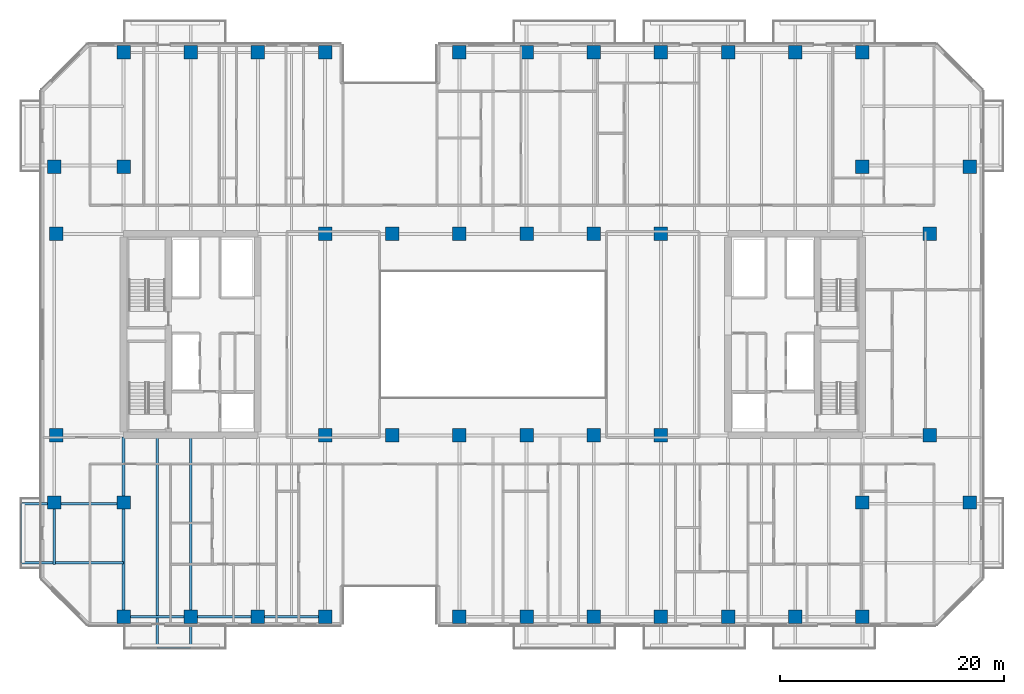
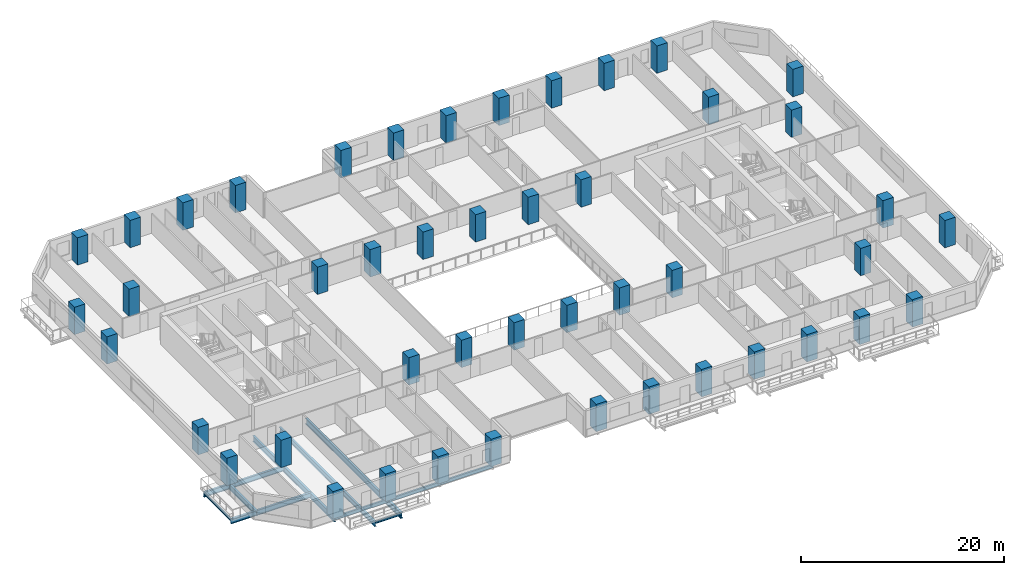
# One storey, part 1 of 26: 46 columns, 11 beams.
"""IFC4 building model written with IfcOpenShell, lengths in metres."""

from ifc_helpers import new_model, si_unit, direction, frame, origin, origin_2d, place, context, subcontext, project, spatial, rectangle, hollow_rectangle, i_section, extrude, material, material_profile, profile_set, type_object, element, save


model = new_model("IFC4")

# Units and contexts
model_context = context("Model", 3, precision=1e-05, world=origin(), true_north=direction((0.0, 1.0)))
body_context = subcontext(model_context, "Body", "Model", "MODEL_VIEW")
ifc_project = project(units=[si_unit("LENGTHUNIT", "METRE"), si_unit("AREAUNIT", "SQUARE_METRE"), si_unit("VOLUMEUNIT", "CUBIC_METRE"), si_unit("PLANEANGLEUNIT", "RADIAN"), si_unit("MASSUNIT", "GRAM", prefix="KILO")], contexts=[model_context])

# Site, building, storey
site_placement = place(None, origin())
site = spatial("IfcSite", under=ifc_project, at=site_placement, CompositionType="ELEMENT")
building_placement = place(site_placement, origin())
building = spatial("IfcBuilding", under=site, at=building_placement, Name="Tanjung Sevakor Pilgrim Tower", CompositionType="ELEMENT")
storey_placement = place(building_placement, frame((0.0, 0.0, 45.5400390625)))
storey = spatial("IfcBuildingStorey", under=building, at=storey_placement, Name="L12", CompositionType="ELEMENT", Elevation=45.5400390625)

# Columns
ifc_material_1 = material(Name="Concrete C60/75", Category="concrete")
ifc_material_profile_1 = material_profile(ifc_material_1, rectangle(XDim=1.199951171875, YDim=1.199951171875, at=origin_2d()))
ifc_profile_set_1 = profile_set([ifc_material_profile_1], Name="Concrete C60/75")
column_type = type_object("IfcColumnType", Name="COL-C-T1200-RC_1200x1200", PredefinedType="COLUMN", material=ifc_profile_set_1)
for number, where, z_axis, x_axis, name in (
    (1, (18.0, 24.60009765625, 0.0), (0.0, 0.0, 1.0), (1.0, 0.0, 0.0), "L12 Column SPW-018-246"),
    (2, (18.0, 42.60009765625, 0.0), (0.0, 0.0, 1.0), (1.0, 0.0, 0.0), "L12 Column SPW-018-426"),
    (3, (42.0, 24.60009765625, 0.0), (0.0, 0.0, 1.0), (1.0, 0.0, 0.0), "L12 Column SPW-042-246"),
    (4, (42.0, 42.60009765625, 0.0), (0.0, 0.0, 1.0), (1.0, 0.0, 0.0), "L12 Column SPW-042-426"),
    (5, (48.0, 24.60009765625, 0.0), (0.0, 0.0, 1.0), (1.0, 0.0, 0.0), "L12 Column SPW-048-246"),
    (6, (48.0, 42.60009765625, 0.0), (0.0, 0.0, 1.0), (1.0, 0.0, 0.0), "L12 Column SPW-048-426"),
    (7, (54.0, 24.60009765625, 0.0), (0.0, 0.0, 1.0), (1.0, 0.0, 0.0), "L12 Column SPE-054-246"),
    (8, (54.0, 42.60009765625, 0.0), (0.0, 0.0, 1.0), (1.0, 0.0, 0.0), "L12 Column SPE-054-426"),
    (9, (60.0, 24.60009765625, 0.0), (0.0, 0.0, 1.0), (1.0, 0.0, 0.0), "L12 Column SPE-060-246"),
    (10, (60.0, 42.60009765625, 0.0), (0.0, 0.0, 1.0), (1.0, 0.0, 0.0), "L12 Column SPE-060-426"),
    (11, (66.0, 24.60009765625, 0.0), (0.0, 0.0, 1.0), (1.0, 0.0, 0.0), "L12 Column SPE-066-246"),
    (12, (66.0, 42.60009765625, 0.0), (0.0, 0.0, 1.0), (1.0, 0.0, 0.0), "L12 Column SPE-066-426"),
    (13, (72.0, 24.60009765625, 0.0), (0.0, 0.0, 1.0), (1.0, 0.0, 0.0), "L12 Column SPE-072-246"),
    (14, (72.0, 42.60009765625, 0.0), (0.0, 0.0, 1.0), (1.0, 0.0, 0.0), "L12 Column SPE-072-426"),
    (15, (96.0, 24.60009765625, 0.0), (0.0, 0.0, 1.0), (1.0, 0.0, 0.0), "L12 Column SPE-096-246"),
    (16, (96.0, 42.60009765625, 0.0), (0.0, 0.0, 1.0), (1.0, 0.0, 0.0), "L12 Column SPE-096-426"),
    (17, (17.800048828125, 18.60009765625, 0.0), (0.0, 0.0, 1.0), (1.0, 0.0, 0.0), "L12 Column TCE-0178-186"),
    (18, (17.800048828125, 48.60009765625, 0.0), (0.0, 0.0, 1.0), (1.0, 0.0, 0.0), "L12 Column TCE-0178-486"),
    (19, (24.0, 18.60009765625, 0.0), (0.0, 0.0, 1.0), (1.0, 0.0, 0.0), "L12 Column TCE-0240-186"),
    (20, (24.0, 48.60009765625, 0.0), (0.0, 0.0, 1.0), (1.0, 0.0, 0.0), "L12 Column TCE-0240-486"),
    (21, (90.0, 18.60009765625, 0.0), (0.0, 0.0, 1.0), (1.0, 0.0, 0.0), "L12 Column TCE-0900-186"),
    (22, (90.0, 48.60009765625, 0.0), (0.0, 0.0, 1.0), (1.0, 0.0, 0.0), "L12 Column TCE-0900-486"),
    (23, (99.60009765625, 18.60009765625, 0.0), (0.0, 0.0, 1.0), (1.0, 0.0, 0.0), "L12 Column TCE-0996-186"),
    (24, (99.60009765625, 48.60009765625, 0.0), (0.0, 0.0, 1.0), (1.0, 0.0, 0.0), "L12 Column TCE-0996-486"),
    (25, (24.0, 8.39990234375, 0.0), (0.0, 0.0, 1.0), (1.0, 0.0, 0.0), "L12 Column TC1-024-084"),
    (26, (24.0, 58.800048828125, 0.0), (0.0, 0.0, 1.0), (1.0, 0.0, 0.0), "L12 Column TC1-024-588"),
    (27, (30.0, 8.39990234375, 0.0), (0.0, 0.0, 1.0), (1.0, 0.0, 0.0), "L12 Column TC1-030-084"),
    (28, (30.0, 58.800048828125, 0.0), (0.0, 0.0, 1.0), (1.0, 0.0, 0.0), "L12 Column TC1-030-588"),
    (29, (36.0, 8.39990234375, 0.0), (0.0, 0.0, 1.0), (1.0, 0.0, 0.0), "L12 Column TC1-036-084"),
    (30, (36.0, 58.800048828125, 0.0), (0.0, 0.0, 1.0), (1.0, 0.0, 0.0), "L12 Column TC1-036-588"),
    (31, (42.0, 8.39990234375, 0.0), (0.0, 0.0, 1.0), (1.0, 0.0, 0.0), "L12 Column TC1-042-084"),
    (32, (42.0, 58.800048828125, 0.0), (0.0, 0.0, 1.0), (1.0, 0.0, 0.0), "L12 Column TC1-042-588"),
    (33, (54.0, 8.39990234375, 0.0), (0.0, 0.0, 1.0), (1.0, 0.0, 0.0), "L12 Column TC1-054-084"),
    (34, (54.0, 58.800048828125, 0.0), (0.0, 0.0, 1.0), (1.0, 0.0, 0.0), "L12 Column TC1-054-588"),
    (35, (60.0, 8.39990234375, 0.0), (0.0, 0.0, 1.0), (1.0, 0.0, 0.0), "L12 Column TC1-060-084"),
    (36, (60.0, 58.800048828125, 0.0), (0.0, 0.0, 1.0), (1.0, 0.0, 0.0), "L12 Column TC1-060-588"),
    (37, (66.0, 8.39990234375, 0.0), (0.0, 0.0, 1.0), (1.0, 0.0, 0.0), "L12 Column TC1-066-084"),
    (38, (66.0, 58.800048828125, 0.0), (0.0, 0.0, 1.0), (1.0, 0.0, 0.0), "L12 Column TC1-066-588"),
    (39, (72.0, 8.39990234375, 0.0), (0.0, 0.0, 1.0), (1.0, 0.0, 0.0), "L12 Column TC1-072-084"),
    (40, (72.0, 58.800048828125, 0.0), (0.0, 0.0, 1.0), (1.0, 0.0, 0.0), "L12 Column TC1-072-588"),
    (41, (78.0, 8.39990234375, 0.0), (0.0, 0.0, 1.0), (1.0, 0.0, 0.0), "L12 Column TC1-078-084"),
    (42, (78.0, 58.800048828125, 0.0), (0.0, 0.0, 1.0), (1.0, 0.0, 0.0), "L12 Column TC1-078-588"),
    (43, (84.0, 8.39990234375, 0.0), (0.0, 0.0, 1.0), (1.0, 0.0, 0.0), "L12 Column TC1-084-084"),
    (44, (84.0, 58.800048828125, 0.0), (0.0, 0.0, 1.0), (1.0, 0.0, 0.0), "L12 Column TC1-084-588"),
    (45, (90.0, 8.39990234375, 0.0), (0.0, 0.0, 1.0), (1.0, 0.0, 0.0), "L12 Column TC1-090-084"),
    (46, (90.0, 58.800048828125, 0.0), (0.0, 0.0, 1.0), (1.0, 0.0, 0.0), "L12 Column TC1-090-588"),
):
    element("IfcColumn", number, at=place(storey_placement, frame(where, z_axis=z_axis, x_axis=x_axis)), inside=storey, type_object=column_type, Name=name, PredefinedType="COLUMN", context=body_context, shape_type="SweptSolid", body=[
        extrude(rectangle(XDim=1.199951171875, YDim=1.199951171875, at=origin_2d()), origin(), (0.0, 0.0, 1.0), 3.300048828125),
    ])

# Beams
ifc_material_2 = material(Name="Steel S355J2", Category="steel")
ifc_material_profile_2 = material_profile(ifc_material_2, i_section(OverallWidth=0.25439453125, OverallDepth=0.6875, WebThickness=0.01318359375, FlangeThickness=0.02099609375, FilletRadius=0.01513671875, at=origin_2d()))
ifc_profile_set_2 = profile_set([ifc_material_profile_2], Name="Steel S355J2")
beam_type_1 = type_object("IfcBeamType", Name="BM-B-G2-UB_686x254x152", PredefinedType="BEAM", material=ifc_profile_set_2)
beam_1_placement = place(storey_placement, frame((24.0, 8.39990234375, -0.563720703125), z_axis=(0.0, 1.0, 0.0), x_axis=(-1.0, 0.0, 0.0)))
element("IfcBeam", 47, at=beam_1_placement, inside=storey, type_object=beam_type_1, Name="L12 MAIN Girder 001", PredefinedType="BEAM", context=body_context, shape_type="SweptSolid", body=[
    extrude(i_section(OverallWidth=0.25439453125, OverallDepth=0.6875, WebThickness=0.01318359375, FlangeThickness=0.02099609375, FilletRadius=0.01513671875, at=origin_2d()), origin(), (0.0, 0.0, 1.0), 16.066162109375),
])
beam_2_placement = place(storey_placement, frame((30.0, 24.466064453125, -0.563720703125), z_axis=(0.0, -1.0, 0.0), x_axis=(1.0, 0.0, 0.0)))
element("IfcBeam", 48, at=beam_2_placement, inside=storey, type_object=beam_type_1, Name="L12 Balcony Cantilever Beam MAIN-S1-2", PredefinedType="BEAM", context=body_context, shape_type="SweptSolid", body=[
    extrude(i_section(OverallWidth=0.25439453125, OverallDepth=0.6875, WebThickness=0.01318359375, FlangeThickness=0.02099609375, FilletRadius=0.01513671875, at=origin_2d()), origin(), (0.0, 0.0, 1.0), 18.845947265625),
])
ifc_material_3 = material(Name="Steel S355J2", Category="steel")
ifc_material_profile_3 = material_profile(ifc_material_3, i_section(OverallWidth=0.22900390625, OverallDepth=0.6123046875, WebThickness=0.011962890625, FlangeThickness=0.01953125, FilletRadius=0.0126953125, at=origin_2d()))
ifc_profile_set_3 = profile_set([ifc_material_profile_3], Name="Steel S355J2")
beam_type_2 = type_object("IfcBeamType", Name="BM-B-G4-UB_610x229x125", PredefinedType="BEAM", material=ifc_profile_set_3)
beam_3_placement = place(storey_placement, frame((17.800048828125, 18.60009765625, -0.526123046875), z_axis=(0.0, -1.0, 0.0), x_axis=(1.0, 0.0, 0.0)))
element("IfcBeam", 49, at=beam_3_placement, inside=storey, type_object=beam_type_2, Name="L12 Short-End Edge Extension S-W", PredefinedType="BEAM", context=body_context, shape_type="SweptSolid", body=[
    extrude(i_section(OverallWidth=0.22900390625, OverallDepth=0.6123046875, WebThickness=0.011962890625, FlangeThickness=0.01953125, FilletRadius=0.0126953125, at=origin_2d()), origin(), (0.0, 0.0, 1.0), 5.550048828125),
])
for number, where, z_axis, x_axis, name in (
    (50, (24.0, 13.199951171875, -0.526123046875), (-1.0, 0.0, 0.0), (0.0, -1.0, 0.0), "L12 Balcony Overhanging Beam MAIN-W1-1"),
    (51, (24.0, 18.5, -0.526123046875), (-1.0, 0.0, 0.0), (0.0, -1.0, 0.0), "L12 Balcony Overhanging Beam MAIN-W1-2"),
):
    element("IfcBeam", number, at=place(storey_placement, frame(where, z_axis=z_axis, x_axis=x_axis)), inside=storey, type_object=beam_type_2, Name=name, PredefinedType="BEAM", context=body_context, shape_type="SweptSolid", body=[
        extrude(i_section(OverallWidth=0.22900390625, OverallDepth=0.6123046875, WebThickness=0.011962890625, FlangeThickness=0.01953125, FilletRadius=0.0126953125, at=origin_2d()), origin(), (0.0, 0.0, 1.0), 9.1298828125),
    ])
beam_4_placement = place(storey_placement, frame((27.0, 24.466064453125, -0.526123046875), z_axis=(0.0, -1.0, 0.0), x_axis=(1.0, 0.0, 0.0)))
element("IfcBeam", 52, at=beam_4_placement, inside=storey, type_object=beam_type_2, Name="L12 Balcony Cantilever Beam MAIN-S1-1", PredefinedType="BEAM", context=body_context, shape_type="SweptSolid", body=[
    extrude(i_section(OverallWidth=0.22900390625, OverallDepth=0.6123046875, WebThickness=0.011962890625, FlangeThickness=0.01953125, FilletRadius=0.0126953125, at=origin_2d()), origin(), (0.0, 0.0, 1.0), 18.845947265625),
])
ifc_material_4 = material(Name="Steel S355J2", Category="steel")
ifc_material_profile_4 = material_profile(ifc_material_4, i_section(OverallWidth=0.146484375, OverallDepth=0.256103515625, WebThickness=0.00634765625, FlangeThickness=0.010986328125, FilletRadius=0.007568359375, at=origin_2d()))
ifc_profile_set_4 = profile_set([ifc_material_profile_4], Name="Steel S355J2")
beam_type_3 = type_object("IfcBeamType", Name="BM-B-J6-UB_254x146x37", PredefinedType="JOIST", material=ifc_profile_set_4)
beam_5_placement = place(storey_placement, frame((27.0, 5.6201171875, -0.328125), z_axis=(1.0, 0.0, 0.0), x_axis=(0.0, 1.0, 0.0)))
element("IfcBeam", 53, at=beam_5_placement, inside=storey, type_object=beam_type_3, Name="L12 Balcony Rim Tie MAIN-S1", PredefinedType="JOIST", context=body_context, shape_type="SweptSolid", body=[
    extrude(i_section(OverallWidth=0.146484375, OverallDepth=0.256103515625, WebThickness=0.00634765625, FlangeThickness=0.010986328125, FilletRadius=0.007568359375, at=origin_2d()), origin(), (0.0, 0.0, 1.0), 3.0),
])
beam_6_placement = place(storey_placement, frame((14.8701171875, 13.199951171875, -0.328125), z_axis=(0.0, 1.0, 0.0), x_axis=(-1.0, 0.0, 0.0)))
element("IfcBeam", 54, at=beam_6_placement, inside=storey, type_object=beam_type_3, Name="L12 Balcony Rim Tie MAIN-W1", PredefinedType="JOIST", context=body_context, shape_type="SweptSolid", body=[
    extrude(i_section(OverallWidth=0.146484375, OverallDepth=0.256103515625, WebThickness=0.00634765625, FlangeThickness=0.010986328125, FilletRadius=0.007568359375, at=origin_2d()), origin(), (0.0, 0.0, 1.0), 5.300048828125),
])
ifc_material_5 = material(Name="Steel S355J2", Category="steel")
ifc_material_profile_5 = material_profile(ifc_material_5, hollow_rectangle(XDim=0.199951171875, YDim=0.39990234375, WallThickness=0.01611328125, at=origin_2d()))
ifc_profile_set_5 = profile_set([ifc_material_profile_5], Name="Steel S355J2")
beam_type_4 = type_object("IfcBeamType", Name="BM-B-SP2-RHS_400x200x16", PredefinedType="SPANDREL", material=ifc_profile_set_5)
for number, where, z_axis, x_axis, name in (
    (55, (24.0, 8.39990234375, -0.419921875), (1.0, 0.0, 0.0), (0.0, 1.0, 0.0), "L12 Spandrel MAIN S-01"),
    (56, (30.0, 8.39990234375, -0.419921875), (1.0, 0.0, 0.0), (0.0, 1.0, 0.0), "L12 Spandrel MAIN S-03"),
    (57, (36.0, 8.39990234375, -0.419921875), (1.0, 0.0, 0.0), (0.0, 1.0, 0.0), "L12 Spandrel MAIN S-05"),
):
    element("IfcBeam", number, at=place(storey_placement, frame(where, z_axis=z_axis, x_axis=x_axis)), inside=storey, type_object=beam_type_4, Name=name, PredefinedType="SPANDREL", context=body_context, shape_type="SweptSolid", body=[
        extrude(hollow_rectangle(XDim=0.199951171875, YDim=0.39990234375, WallThickness=0.01611328125, at=origin_2d()), origin(), (0.0, 0.0, 1.0), 6.0),
    ])

save(model, "model.ifc")
